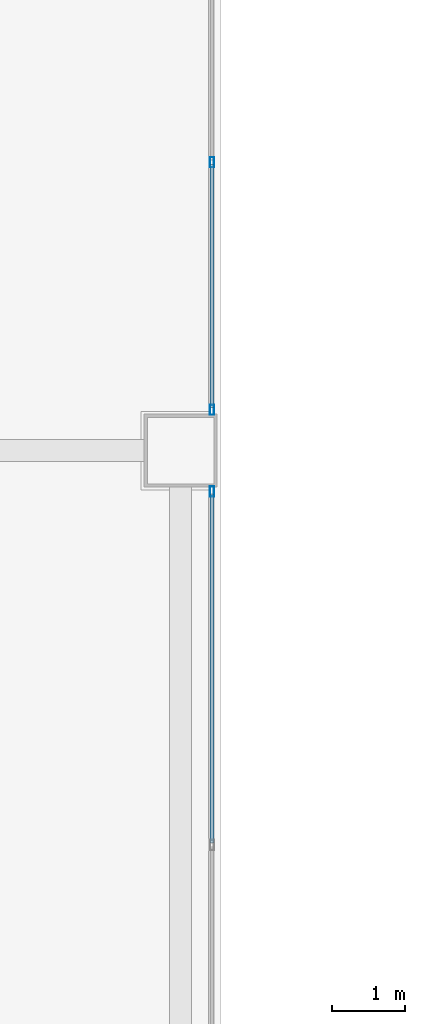
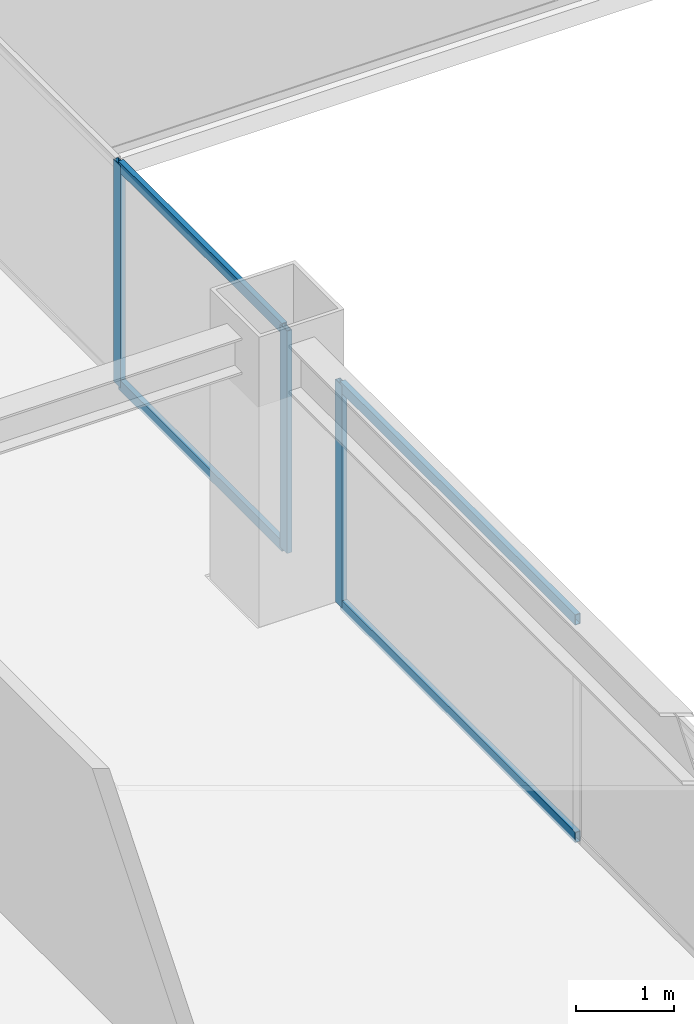
# One storey, part 7 of 29: 7 members, 2 elements without a shape of their own.
"""IFC4 building model written with IfcOpenShell, lengths in metres."""

from ifc_helpers import new_model, si_unit, direction, frame, origin, origin_2d, place, context, subcontext, project, spatial, hollow_rectangle, extrude, source, transform, mapped, material, layer, layer_set, material_profile, profile_set, type_object, element, aggregate, save


model = new_model("IFC4")

# Units and contexts
model_context = context("Model", 3, precision=1e-05, world=origin(), true_north=direction((0.0, 1.0)))
body_context = subcontext(model_context, "Body", "Model", "MODEL_VIEW")
ifc_project = project(units=[si_unit("LENGTHUNIT", "METRE"), si_unit("AREAUNIT", "SQUARE_METRE"), si_unit("VOLUMEUNIT", "CUBIC_METRE"), si_unit("PLANEANGLEUNIT", "RADIAN"), si_unit("MASSUNIT", "GRAM", prefix="KILO")], contexts=[model_context])

# Site, building, storey
site_placement = place(None, origin())
site = spatial("IfcSite", under=ifc_project, at=site_placement, CompositionType="ELEMENT")
building_placement = place(site_placement, origin())
building = spatial("IfcBuilding", under=site, at=building_placement, Name="Sumidabori Civic Tower", CompositionType="ELEMENT")
storey_placement = place(building_placement, frame((0.0, 0.0, 207.199951171875)))
storey = spatial("IfcBuildingStorey", under=building, at=storey_placement, Name="L53", CompositionType="ELEMENT", Elevation=207.199951171875)

# Curtain wall, member
ifc_material = material(Name="Anodised Bronze Aluminium AW-6063-T6", Category="aluminium")
ifc_layer = layer(ifc_material, 0.179931640625, Name="Anodised Bronze Aluminium AW-6063-T6")
ifc_layer_set = layer_set([ifc_layer], Name="Anodised Bronze Aluminium AW-6063-T6")
curtain_wall_type = type_object("IfcCurtainWallType", Name="CW-SYS-4", PredefinedType="NOTDEFINED", material=ifc_layer_set)
curtain_wall_1_placement = place(storey_placement, origin())
curtain_wall_1 = element("IfcCurtainWall", 1, at=curtain_wall_1_placement, inside=storey, type_object=curtain_wall_type, Name="Curtain Wall CW:L53:R03", PredefinedType="NOTDEFINED")
ifc_material_profile_1 = material_profile(ifc_material, hollow_rectangle(XDim=0.06005859375, YDim=0.139892578125, WallThickness=0.0048828125, at=origin_2d()), Name="ALU MULLION 140x60")
ifc_profile_set_1 = profile_set([ifc_material_profile_1], Name="Anodised Bronze Aluminium AW-6063-T6")
member_type_1 = type_object("IfcMemberType", Name="CW-MUL-140", PredefinedType="MULLION", material=ifc_profile_set_1)
shared_shape_1 = source(origin(), body_context, "Body", "SweptSolid", [
    extrude(hollow_rectangle(XDim=0.06005859375, YDim=0.139892578125, WallThickness=0.0048828125, at=origin_2d()), origin(), (0.0, 0.0, 1.0), 2.760009765625),
])
member_1_placement = place(storey_placement, frame((-7.969970703125, -0.56005859375, 0.0), z_axis=(0.0, 0.0, 1.0), x_axis=(-1.0, 0.0, 0.0)))
member_1 = element("IfcMember", 2, at=member_1_placement, type_object=member_type_1, Name="CW-4 mullion 3", PredefinedType="MULLION", context=body_context, shape_type="MappedRepresentation", body=[
    mapped(shared_shape_1, transform((0.0, 0.0, 0.0), x_axis=(1.0, 0.0, 0.0), y_axis=(0.0, 1.0, 0.0), z_axis=(0.0, 0.0, 1.0), scale=1.0)),
])

# Curtain wall, members
curtain_wall_2_placement = place(storey_placement, origin())
curtain_wall_2 = element("IfcCurtainWall", 3, at=curtain_wall_2_placement, inside=storey, type_object=curtain_wall_type, Name="Curtain Wall CW:L53:R04", PredefinedType="NOTDEFINED")
member_2_placement = place(storey_placement, frame((-7.969970703125, 0.56005859375, 0.0), z_axis=(0.0, 0.0, 1.0), x_axis=(-1.0, 0.0, 0.0)))
member_2 = element("IfcMember", 4, at=member_2_placement, type_object=member_type_1, Name="CW-4 mullion 1", PredefinedType="MULLION", context=body_context, shape_type="MappedRepresentation", body=[
    mapped(shared_shape_1, transform((0.0, 0.0, 0.0), x_axis=(1.0, 0.0, 0.0), y_axis=(0.0, 1.0, 0.0), z_axis=(0.0, 0.0, 1.0), scale=1.0)),
])
member_3_placement = place(storey_placement, frame((-7.969970703125, 3.949951171875, 0.0), z_axis=(0.0, 0.0, 1.0), x_axis=(-1.0, 0.0, 0.0)))
member_3 = element("IfcMember", 5, at=member_3_placement, type_object=member_type_1, Name="CW-4 mullion 2", PredefinedType="MULLION", context=body_context, shape_type="MappedRepresentation", body=[
    mapped(shared_shape_1, transform((0.0, 0.0, 0.0), x_axis=(1.0, 0.0, 0.0), y_axis=(0.0, 1.0, 0.0), z_axis=(0.0, 0.0, 1.0), scale=1.0)),
])

# Member
ifc_material_profile_2 = material_profile(ifc_material, hollow_rectangle(XDim=0.06005859375, YDim=0.1298828125, WallThickness=0.0048828125, at=origin_2d()), Name="ALU TRANSOM 130x60")
ifc_profile_set_2 = profile_set([ifc_material_profile_2], Name="Anodised Bronze Aluminium AW-6063-T6")
member_type_2 = type_object("IfcMemberType", Name="CW-TRN-130", PredefinedType="USERDEFINED", material=ifc_profile_set_2)
shared_shape_2 = source(origin(), body_context, "Body", "SweptSolid", [
    extrude(hollow_rectangle(XDim=0.06005859375, YDim=0.1298828125, WallThickness=0.0048828125, at=origin_2d()), origin(), (0.0, 0.0, 1.0), 4.780029296875),
])
member_4_placement = place(storey_placement, frame((-7.969970703125, -5.3701171875, 0.030029296875), z_axis=(0.0, 1.0, 0.0), x_axis=(-1.0, 0.0, 0.0)))
member_4 = element("IfcMember", 6, at=member_4_placement, type_object=member_type_2, Name="CW-4 transom 2.1", ObjectType="TRANSOM", PredefinedType="USERDEFINED", context=body_context, shape_type="MappedRepresentation", body=[
    mapped(shared_shape_2, transform((0.0, 0.0, 0.0), x_axis=(1.0, 0.0, 0.0), y_axis=(0.0, 1.0, 0.0), z_axis=(0.0, 0.0, 1.0), scale=1.0)),
])

member_5_placement = place(storey_placement, frame((-7.969970703125, -5.3701171875, 2.72998046875), z_axis=(0.0, 1.0, 0.0), x_axis=(-1.0, 0.0, 0.0)))
member_5 = element("IfcMember", 7, at=member_5_placement, type_object=member_type_2, Name="CW-4 transom 2.2", ObjectType="TRANSOM", PredefinedType="USERDEFINED", context=body_context, shape_type="MappedRepresentation", body=[
    mapped(shared_shape_2, transform((0.0, 0.0, 0.0), x_axis=(1.0, 0.0, 0.0), y_axis=(0.0, 1.0, 0.0), z_axis=(0.0, 0.0, 1.0), scale=1.0)),
])

aggregate(curtain_wall_1, [member_1, member_4, member_5])

shared_shape_3 = source(origin(), body_context, "Body", "SweptSolid", [
    extrude(hollow_rectangle(XDim=0.06005859375, YDim=0.1298828125, WallThickness=0.0048828125, at=origin_2d()), origin(), (0.0, 0.0, 1.0), 3.329833984375),
])
member_6_placement = place(storey_placement, frame((-7.969970703125, 0.590087890625, 0.030029296875), z_axis=(0.0, 1.0, 0.0), x_axis=(-1.0, 0.0, 0.0)))
member_6 = element("IfcMember", 8, at=member_6_placement, type_object=member_type_2, Name="CW-4 transom 1.1", ObjectType="TRANSOM", PredefinedType="USERDEFINED", context=body_context, shape_type="MappedRepresentation", body=[
    mapped(shared_shape_3, transform((0.0, 0.0, 0.0), x_axis=(1.0, 0.0, 0.0), y_axis=(0.0, 1.0, 0.0), z_axis=(0.0, 0.0, 1.0), scale=1.0)),
])

member_7_placement = place(storey_placement, frame((-7.969970703125, 0.590087890625, 2.72998046875), z_axis=(0.0, 1.0, 0.0), x_axis=(-1.0, 0.0, 0.0)))
member_7 = element("IfcMember", 9, at=member_7_placement, type_object=member_type_2, Name="CW-4 transom 1.2", ObjectType="TRANSOM", PredefinedType="USERDEFINED", context=body_context, shape_type="MappedRepresentation", body=[
    mapped(shared_shape_3, transform((0.0, 0.0, 0.0), x_axis=(1.0, 0.0, 0.0), y_axis=(0.0, 1.0, 0.0), z_axis=(0.0, 0.0, 1.0), scale=1.0)),
])

aggregate(curtain_wall_2, [member_2, member_3, member_6, member_7])

save(model, "model.ifc")
